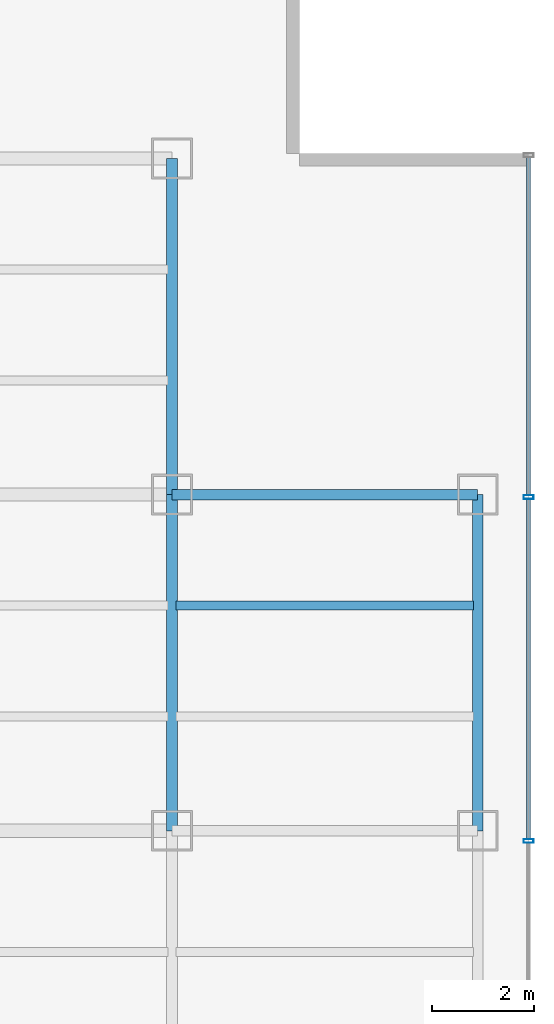
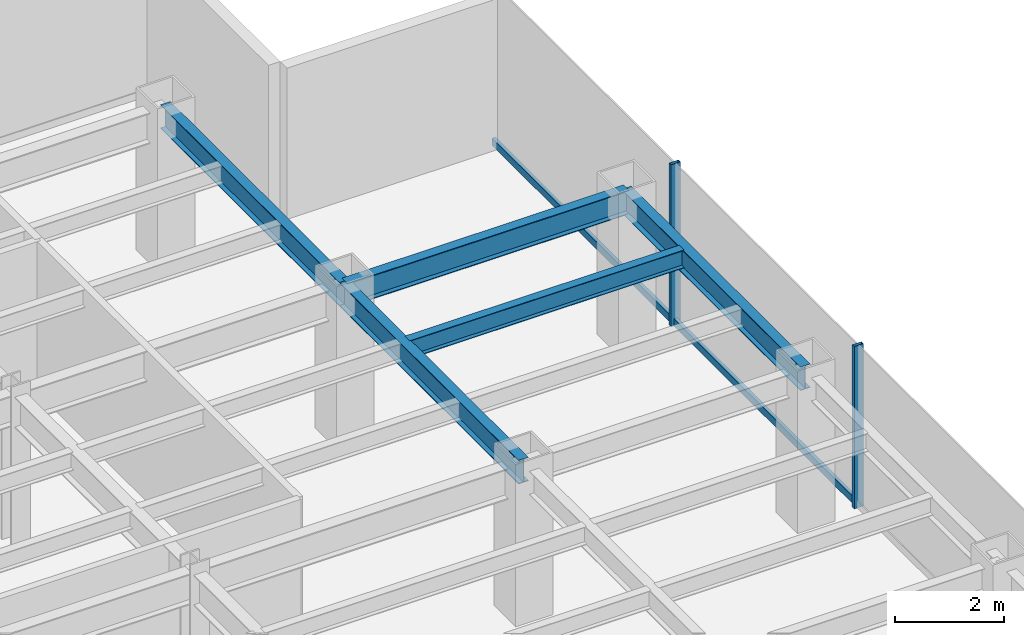
# One storey, part 12 of 26: 5 beams, 4 members, 1 element without a shape of its own.
"""IFC4 building model written with IfcOpenShell, lengths in metres."""

from ifc_helpers import new_model, si_unit, derived_unit, direction, frame, origin, origin_2d, place, context, subcontext, project, spatial, hollow_rectangle, i_section, extrude, source, transform, mapped, material, material_profile, profile_set, type_object, element, aggregate, save


model = new_model("IFC4")

# Units and contexts
model_context = context("Model", 3, precision=1e-05, world=origin(), true_north=direction((0.0, 1.0)))
body_context = subcontext(model_context, "Body", "Model", "MODEL_VIEW")
ifc_project = project(units=[si_unit("LENGTHUNIT", "METRE"), si_unit("AREAUNIT", "SQUARE_METRE"), si_unit("VOLUMEUNIT", "CUBIC_METRE"), si_unit("PLANEANGLEUNIT", "RADIAN"), si_unit("MASSUNIT", "GRAM", prefix="KILO"), derived_unit("THERMALTRANSMITTANCEUNIT", [(si_unit("POWERUNIT", "WATT"), 1), (si_unit("LENGTHUNIT", "METRE"), -2), (si_unit("THERMODYNAMICTEMPERATUREUNIT", "KELVIN"), -1)])], contexts=[model_context])

# Site, building, storey
site_placement = place(None, origin())
site = spatial("IfcSite", under=ifc_project, at=site_placement, CompositionType="ELEMENT")
building_placement = place(site_placement, origin())
building = spatial("IfcBuilding", under=site, at=building_placement, Name="Skarnbrae Concourse Arena and Tower", CompositionType="ELEMENT")
storey_placement = place(building_placement, frame((0.0, 0.0, 95.949951171875)))
storey = spatial("IfcBuildingStorey", under=building, at=storey_placement, Name="L23", CompositionType="ELEMENT", Elevation=95.949951171875)

# Beams
ifc_material_1 = material(Name="Steel CSA G40.21 350W", Category="steel")
ifc_material_profile_1 = material_profile(ifc_material_1, i_section(OverallWidth=0.208984375, OverallDepth=0.532958984375, WebThickness=0.01025390625, FlangeThickness=0.015625, at=origin_2d()), Name="W530X92")
ifc_profile_set_1 = profile_set([ifc_material_profile_1], Name="Steel CSA G40.21 350W")
beam_type_1 = type_object("IfcBeamType", Name="BM-SPAN-W530X92", PredefinedType="SPANDREL", material=ifc_profile_set_1)
shared_shape_1 = source(origin(), body_context, "Body", "SweptSolid", [
    extrude(i_section(OverallWidth=0.208984375, OverallDepth=0.532958984375, WebThickness=0.01025390625, FlangeThickness=0.015625, at=origin_2d()), origin(), (0.0, 0.0, 1.0), 6.0),
])
beam_1_placement = place(storey_placement, frame((49.0, 27.800048828125, 3.133544921875), z_axis=(1.0, 0.0, 0.0), x_axis=(0.0, 1.0, 0.0)))
element("IfcBeam", 1, at=beam_1_placement, inside=storey, type_object=beam_type_1, Name="L23 Perimeter spandrel Y27.8-8", PredefinedType="SPANDREL", context=body_context, shape_type="MappedRepresentation", body=[
    mapped(shared_shape_1, transform((0.0, 0.0, 0.0))),
])
shared_shape_2 = source(origin(), body_context, "Body", "SweptSolid", [
    extrude(i_section(OverallWidth=0.208984375, OverallDepth=0.532958984375, WebThickness=0.01025390625, FlangeThickness=0.015625, at=origin_2d()), origin(), (0.0, 0.0, 1.0), 6.60009765625),
])
for number, where, z_axis, x_axis, name in (
    (2, (49.0, 21.199951171875, 3.133544921875), (0.0, 1.0, 0.0), (-1.0, 0.0, 0.0), "L23 Perimeter spandrel X49.0-3"),
    (3, (55.0, 21.199951171875, 3.133544921875), (0.0, 1.0, 0.0), (-1.0, 0.0, 0.0), "L23 Perimeter spandrel X55.0-3"),
):
    element("IfcBeam", number, at=place(storey_placement, frame(where, z_axis=z_axis, x_axis=x_axis)), inside=storey, type_object=beam_type_1, Name=name, PredefinedType="SPANDREL", context=body_context, shape_type="MappedRepresentation", body=[
        mapped(shared_shape_2, transform((0.0, 0.0, 0.0))),
    ])
shared_shape_3 = source(origin(), body_context, "Body", "SweptSolid", [
    extrude(i_section(OverallWidth=0.208984375, OverallDepth=0.532958984375, WebThickness=0.01025390625, FlangeThickness=0.015625, at=origin_2d()), origin(), (0.0, 0.0, 1.0), 6.599853515625),
])
beam_2_placement = place(storey_placement, frame((49.0, 27.800048828125, 3.133544921875), z_axis=(0.0, 1.0, 0.0), x_axis=(-1.0, 0.0, 0.0)))
element("IfcBeam", 4, at=beam_2_placement, inside=storey, type_object=beam_type_1, Name="L23 Perimeter spandrel X49.0-4", PredefinedType="SPANDREL", context=body_context, shape_type="MappedRepresentation", body=[
    mapped(shared_shape_3, transform((0.0, 0.0, 0.0))),
])
ifc_material_profile_2 = material_profile(ifc_material_1, i_section(OverallWidth=0.177978515625, OverallDepth=0.406982421875, WebThickness=0.0078125, FlangeThickness=0.0126953125, at=origin_2d()), Name="W410X60")
ifc_profile_set_2 = profile_set([ifc_material_profile_2], Name="Steel CSA G40.21 350W")
beam_type_2 = type_object("IfcBeamType", Name="BM-JOIST-W410X60", PredefinedType="JOIST", material=ifc_profile_set_2)
shared_shape_4 = source(origin(), body_context, "Body", "SweptSolid", [
    extrude(i_section(OverallWidth=0.177978515625, OverallDepth=0.406982421875, WebThickness=0.0078125, FlangeThickness=0.0126953125, at=origin_2d()), origin(), (0.0, 0.0, 1.0), 5.83984375),
])
beam_3_placement = place(storey_placement, frame((49.080078125, 25.6220703125, 3.196533203125), z_axis=(1.0, 0.0, 0.0), x_axis=(0.0, 1.0, 0.0)))
element("IfcBeam", 5, at=beam_3_placement, inside=storey, type_object=beam_type_2, Name="L23 Secondary floor joist 2.2.8", PredefinedType="JOIST", context=body_context, shape_type="MappedRepresentation", body=[
    mapped(shared_shape_4, transform((0.0, 0.0, 0.0))),
])

# Curtain wall, members
ifc_material_2 = material(Name="Bronze anodised aluminium 6063-T6", Category="aluminium")
curtain_wall_type = type_object("IfcCurtainWallType", Name="CW-SYS-04-MIDZONE", PredefinedType="USERDEFINED", material=ifc_material_2)
curtain_wall_placement = place(storey_placement, origin())
curtain_wall = element("IfcCurtainWall", 6, at=curtain_wall_placement, inside=storey, type_object=curtain_wall_type, Name="L23 Unitised curtain wall CW-L23-E04", ObjectType="UNITISED CURTAIN WALL", PredefinedType="USERDEFINED")
ifc_material_profile_3 = material_profile(ifc_material_2, hollow_rectangle(XDim=0.074951171875, YDim=0.195068359375, WallThickness=0.00439453125, at=origin_2d()), Name="ALU-MULL-75X195")
ifc_profile_set_3 = profile_set([ifc_material_profile_3], Name="Bronze anodised aluminium 6063-T6")
member_type_1 = type_object("IfcMemberType", Name="CWM-CW-04", PredefinedType="MULLION", material=ifc_profile_set_3)
shared_shape_5 = source(origin(), body_context, "Body", "SweptSolid", [
    extrude(hollow_rectangle(XDim=0.074951171875, YDim=0.195068359375, WallThickness=0.00439453125, at=origin_2d()), origin(), (0.0, 0.0, 1.0), 3.650146484375),
])
member_1_placement = place(storey_placement, frame((56.0, 21.0, 0.0), z_axis=(0.0, 0.0, 1.0), x_axis=(0.0, 1.0, 0.0)))
member_1 = element("IfcMember", 7, at=member_1_placement, type_object=member_type_1, Name="CW-L23-E04 Mullion 3", PredefinedType="MULLION", context=body_context, shape_type="MappedRepresentation", body=[
    mapped(shared_shape_5, transform((0.0, 0.0, 0.0))),
])
member_2_placement = place(storey_placement, frame((56.0, 27.75, 0.0), z_axis=(0.0, 0.0, 1.0), x_axis=(0.0, 1.0, 0.0)))
member_2 = element("IfcMember", 8, at=member_2_placement, type_object=member_type_1, Name="CW-L23-E04 Mullion 4", PredefinedType="MULLION", context=body_context, shape_type="MappedRepresentation", body=[
    mapped(shared_shape_5, transform((0.0, 0.0, 0.0))),
])
ifc_material_profile_4 = material_profile(ifc_material_2, hollow_rectangle(XDim=0.074951171875, YDim=0.159912109375, WallThickness=0.00439453125, at=origin_2d()), Name="ALU-TRAN-75X160")
ifc_profile_set_4 = profile_set([ifc_material_profile_4], Name="Bronze anodised aluminium 6063-T6")
member_type_2 = type_object("IfcMemberType", Name="CWT-CW-04", PredefinedType="USERDEFINED", material=ifc_profile_set_4)
shared_shape_6 = source(origin(), body_context, "Body", "SweptSolid", [
    extrude(hollow_rectangle(XDim=0.074951171875, YDim=0.159912109375, WallThickness=0.00439453125, at=origin_2d()), origin(), (0.0, 0.0, 1.0), 6.637451171875),
])
member_3_placement = place(storey_placement, frame((56.0, 27.78759765625, 0.080078125), z_axis=(0.0, 1.0, 0.0), x_axis=(-1.0, 0.0, 0.0)))
member_3 = element("IfcMember", 9, at=member_3_placement, type_object=member_type_2, Name="CW-L23-E04 Transom 4", ObjectType="TRANSOM", PredefinedType="USERDEFINED", context=body_context, shape_type="MappedRepresentation", body=[
    mapped(shared_shape_6, transform((0.0, 0.0, 0.0))),
])
shared_shape_7 = source(origin(), body_context, "Body", "SweptSolid", [
    extrude(hollow_rectangle(XDim=0.074951171875, YDim=0.159912109375, WallThickness=0.00439453125, at=origin_2d()), origin(), (0.0, 0.0, 1.0), 6.6748046875),
])
member_4_placement = place(storey_placement, frame((56.0, 21.03759765625, 0.080078125), z_axis=(0.0, 1.0, 0.0), x_axis=(-1.0, 0.0, 0.0)))
member_4 = element("IfcMember", 10, at=member_4_placement, type_object=member_type_2, Name="CW-L23-E04 Transom 3", ObjectType="TRANSOM", PredefinedType="USERDEFINED", context=body_context, shape_type="MappedRepresentation", body=[
    mapped(shared_shape_7, transform((0.0, 0.0, 0.0))),
])
aggregate(curtain_wall, [member_1, member_2, member_4, member_3])

save(model, "model.ifc")
